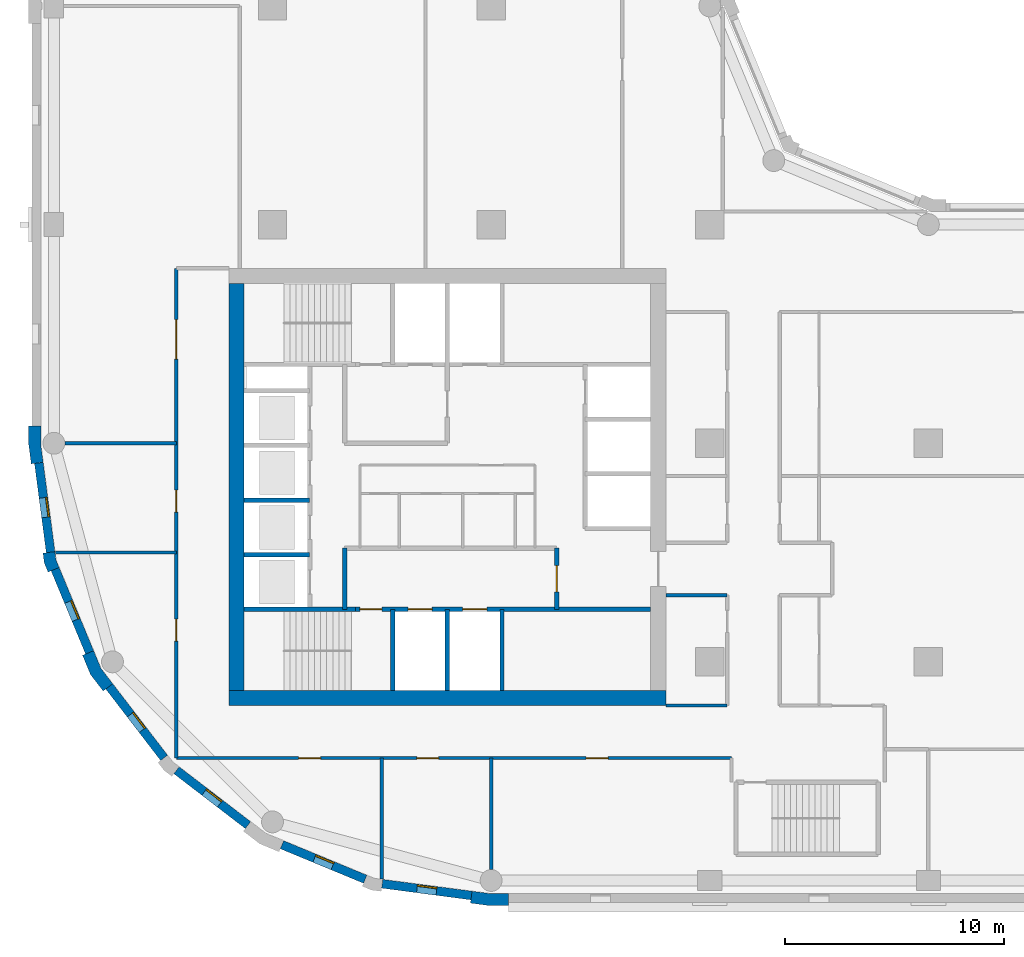
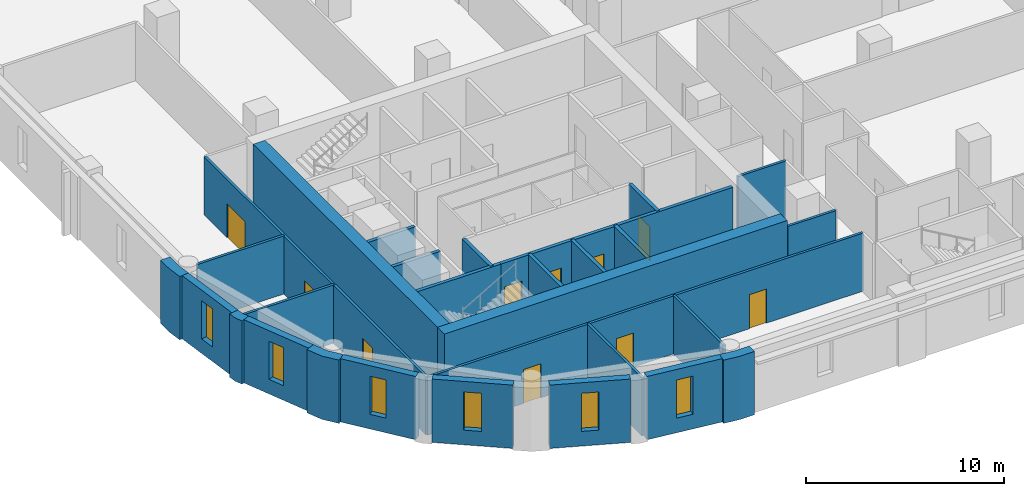
# One storey, part 2 of 9: 29 walls, 10 doors, 6 windows, 16 openings.
"""IFC4 building model written with IfcOpenShell, lengths in metres."""

from ifc_helpers import new_model, si_unit, direction, frame, frame_2d, origin, place, context, subcontext, project, spatial, polyline, rectangle, outline, extrude, material, layer, layer_set, type_object, element, fill, save


model = new_model("IFC4")

# Units and contexts
model_context = context("Model", 3, precision=1e-05, world=origin(), true_north=direction((0.0, 1.0)))
body_context = subcontext(model_context, "Body", "Model", "MODEL_VIEW")
ifc_project = project(units=[si_unit("LENGTHUNIT", "METRE"), si_unit("AREAUNIT", "SQUARE_METRE"), si_unit("VOLUMEUNIT", "CUBIC_METRE"), si_unit("PLANEANGLEUNIT", "RADIAN"), si_unit("MASSUNIT", "GRAM", prefix="KILO")], contexts=[model_context])

# Site, building, storey
site_placement = place(None, origin())
site = spatial("IfcSite", under=ifc_project, at=site_placement, CompositionType="ELEMENT")
building_placement = place(site_placement, origin())
building = spatial("IfcBuilding", under=site, at=building_placement, Name="Qaws Garden Tower", CompositionType="ELEMENT")
storey_placement = place(building_placement, frame((0.0, 0.0, 174.60009765625)))
storey = spatial("IfcBuildingStorey", under=building, at=storey_placement, Name="L42", CompositionType="ELEMENT", Elevation=174.60009765625)

# Wall, opening, window
ifc_material_1 = material(Name="Clay facing brick masonry", Category="masonry")
ifc_layer_1 = layer(ifc_material_1, 0.39990234375)
ifc_layer_set_1 = layer_set([ifc_layer_1], Name="Clay facing brick masonry")
wall_type_1 = type_object("IfcWallType", Name="Brick infill wall 400", PredefinedType="SOLIDWALL", material=ifc_layer_set_1)
wall_1_placement = place(storey_placement, frame((-0.688720703125, 19.102294921875, 0.0), z_axis=(0.0, 0.0, 1.0), x_axis=(0.130514280502, -0.991446429508, 0.0)))
wall_1 = element("IfcWall", 1, at=wall_1_placement, inside=storey, type_object=wall_type_1, Name="E-L42-infill-25", PredefinedType="SOLIDWALL", context=body_context, shape_type="SweptSolid", body=[
    extrude(rectangle(XDim=4.120849609375, YDim=0.39990234375, at=frame_2d((2.060546875, 0.0))), origin(), (0.0, 0.0, 1.0), 3.89990234375),
])
opening_1_placement = place(wall_1_placement, frame((1.610595703125, 0.0, 0.89990234375)))
opening_1 = element("IfcOpeningElement", 2, at=opening_1_placement, cuts=wall_1, Name="Opening W09", PredefinedType="OPENING", context=body_context, shape_type="SweptSolid", body=[
    extrude(rectangle(XDim=0.89990234375, YDim=2.35009765625, at=frame_2d((0.449951171875, 1.175048828125))), frame((0.0, 0.2099609375, 0.0), z_axis=(0.0, -1.0, 0.0), x_axis=(1.0, 0.0, 0.0)), (0.0, 0.0, 1.0), 0.419921875),
])
ifc_material_2 = material(Name="Aluminium framed window, clear glazing", Category="aluminium")
window_type = type_object("IfcWindowType", Name="Slit window 900 x 2350", PartitioningType="SINGLE_PANEL", PredefinedType="WINDOW", material=ifc_material_2)
window_1_placement = place(opening_1_placement, origin())
window_1 = element("IfcWindow", 3, at=window_1_placement, inside=storey, type_object=window_type, Name="E-L42-window-25-0", OverallHeight=2.35009765625, OverallWidth=0.89990234375, PartitioningType="SINGLE_PANEL", PredefinedType="WINDOW", context=body_context, shape_type="SweptSolid", body=[
    extrude(rectangle(XDim=0.89990234375, YDim=2.35009765625, at=frame_2d((0.449951171875, 1.175048828125))), frame((0.0, 0.159912109375, 0.0), z_axis=(0.0, -1.0, 0.0), x_axis=(1.0, 0.0, 0.0)), (0.0, 0.0, 1.0), 0.06005859375),
])
fill(opening_1, window_1)

wall_2_placement = place(storey_placement, frame((0.05712890625, 14.240234375, 0.0), z_axis=(0.0, 0.0, 1.0), x_axis=(0.382721546029, -0.923863744394, 0.0)))
wall_2 = element("IfcWall", 4, at=wall_2_placement, inside=storey, type_object=wall_type_1, Name="E-L42-infill-26", PredefinedType="SOLIDWALL", context=body_context, shape_type="SweptSolid", body=[
    extrude(rectangle(XDim=4.120849609375, YDim=0.39990234375, at=frame_2d((2.060546875, 0.0))), origin(), (0.0, 0.0, 1.0), 3.89990234375),
])
opening_2_placement = place(wall_2_placement, frame((1.610595703125, 0.0, 0.89990234375)))
opening_2 = element("IfcOpeningElement", 5, at=opening_2_placement, cuts=wall_2, Name="Opening W09", PredefinedType="OPENING", context=body_context, shape_type="SweptSolid", body=[
    extrude(rectangle(XDim=0.89990234375, YDim=2.35009765625, at=frame_2d((0.449951171875, 1.175048828125))), frame((0.0, 0.2099609375, 0.0), z_axis=(0.0, -1.0, 0.0), x_axis=(1.0, 0.0, 0.0)), (0.0, 0.0, 1.0), 0.419921875),
])
window_2_placement = place(opening_2_placement, origin())
window_2 = element("IfcWindow", 6, at=window_2_placement, inside=storey, type_object=window_type, Name="E-L42-window-26-0", OverallHeight=2.35009765625, OverallWidth=0.89990234375, PartitioningType="SINGLE_PANEL", PredefinedType="WINDOW", context=body_context, shape_type="SweptSolid", body=[
    extrude(rectangle(XDim=0.89990234375, YDim=2.35009765625, at=frame_2d((0.449951171875, 1.175048828125))), frame((0.0, 0.159912109375, 0.0), z_axis=(0.0, -1.0, 0.0), x_axis=(1.0, 0.0, 0.0)), (0.0, 0.0, 1.0), 0.06005859375),
])
fill(opening_2, window_2)

wall_3_placement = place(storey_placement, frame((2.53173828125, 8.87841796875, 0.0), z_axis=(0.0, 0.0, 1.0), x_axis=(0.608759824817, -0.793354571229, 0.0)))
wall_3 = element("IfcWall", 7, at=wall_3_placement, inside=storey, type_object=wall_type_1, Name="E-L42-infill-27", PredefinedType="SOLIDWALL", context=body_context, shape_type="SweptSolid", body=[
    extrude(rectangle(XDim=4.12109375, YDim=0.39990234375, at=frame_2d((2.060546875, 0.0))), origin(), (0.0, 0.0, 1.0), 3.89990234375),
])
opening_3_placement = place(wall_3_placement, frame((1.610595703125, 0.0, 0.89990234375)))
opening_3 = element("IfcOpeningElement", 8, at=opening_3_placement, cuts=wall_3, Name="Opening W09", PredefinedType="OPENING", context=body_context, shape_type="SweptSolid", body=[
    extrude(rectangle(XDim=0.89990234375, YDim=2.35009765625, at=frame_2d((0.449951171875, 1.175048828125))), frame((0.0, 0.2099609375, 0.0), z_axis=(0.0, -1.0, 0.0), x_axis=(1.0, 0.0, 0.0)), (0.0, 0.0, 1.0), 0.419921875),
])
window_3_placement = place(opening_3_placement, origin())
window_3 = element("IfcWindow", 9, at=window_3_placement, inside=storey, type_object=window_type, Name="E-L42-window-27-0", OverallHeight=2.35009765625, OverallWidth=0.89990234375, PartitioningType="SINGLE_PANEL", PredefinedType="WINDOW", context=body_context, shape_type="SweptSolid", body=[
    extrude(rectangle(XDim=0.89990234375, YDim=2.35009765625, at=frame_2d((0.449951171875, 1.175048828125))), frame((0.0, 0.159912109375, 0.0), z_axis=(0.0, -1.0, 0.0), x_axis=(1.0, 0.0, 0.0)), (0.0, 0.0, 1.0), 0.06005859375),
])
fill(opening_3, window_3)

wall_4_placement = place(storey_placement, frame((5.60888671875, 5.04052734375, 0.0), z_axis=(0.0, 0.0, 1.0), x_axis=(0.793354571229, -0.608759824817, 0.0)))
wall_4 = element("IfcWall", 10, at=wall_4_placement, inside=storey, type_object=wall_type_1, Name="E-L42-infill-28", PredefinedType="SOLIDWALL", context=body_context, shape_type="SweptSolid", body=[
    extrude(rectangle(XDim=4.12109375, YDim=0.39990234375, at=frame_2d((2.060546875, 0.0))), origin(), (0.0, 0.0, 1.0), 3.89990234375),
])
opening_4_placement = place(wall_4_placement, frame((1.610595703125, 0.0, 0.89990234375)))
opening_4 = element("IfcOpeningElement", 11, at=opening_4_placement, cuts=wall_4, Name="Opening W09", PredefinedType="OPENING", context=body_context, shape_type="SweptSolid", body=[
    extrude(rectangle(XDim=0.89990234375, YDim=2.35009765625, at=frame_2d((0.449951171875, 1.175048828125))), frame((0.0, 0.2099609375, 0.0), z_axis=(0.0, -1.0, 0.0), x_axis=(1.0, 0.0, 0.0)), (0.0, 0.0, 1.0), 0.419921875),
])
window_4_placement = place(opening_4_placement, origin())
window_4 = element("IfcWindow", 12, at=window_4_placement, inside=storey, type_object=window_type, Name="E-L42-window-28-0", OverallHeight=2.35009765625, OverallWidth=0.89990234375, PartitioningType="SINGLE_PANEL", PredefinedType="WINDOW", context=body_context, shape_type="SweptSolid", body=[
    extrude(rectangle(XDim=0.89990234375, YDim=2.35009765625, at=frame_2d((0.449951171875, 1.175048828125))), frame((0.0, 0.159912109375, 0.0), z_axis=(0.0, -1.0, 0.0), x_axis=(1.0, 0.0, 0.0)), (0.0, 0.0, 1.0), 0.06005859375),
])
fill(opening_4, window_4)

wall_5_placement = place(storey_placement, frame((10.43310546875, 1.63427734375, 0.0), z_axis=(0.0, 0.0, 1.0), x_axis=(0.923863744394, -0.382721546029, 0.0)))
wall_5 = element("IfcWall", 13, at=wall_5_placement, inside=storey, type_object=wall_type_1, Name="E-L42-infill-29", PredefinedType="SOLIDWALL", context=body_context, shape_type="SweptSolid", body=[
    extrude(rectangle(XDim=4.120849609375, YDim=0.39990234375, at=frame_2d((2.060546875, 0.0))), origin(), (0.0, 0.0, 1.0), 3.89990234375),
])
opening_5_placement = place(wall_5_placement, frame((1.610595703125, 0.0, 0.89990234375)))
opening_5 = element("IfcOpeningElement", 14, at=opening_5_placement, cuts=wall_5, Name="Opening W09", PredefinedType="OPENING", context=body_context, shape_type="SweptSolid", body=[
    extrude(rectangle(XDim=0.89990234375, YDim=2.35009765625, at=frame_2d((0.449951171875, 1.175048828125))), frame((0.0, 0.2099609375, 0.0), z_axis=(0.0, -1.0, 0.0), x_axis=(1.0, 0.0, 0.0)), (0.0, 0.0, 1.0), 0.419921875),
])
window_5_placement = place(opening_5_placement, origin())
window_5 = element("IfcWindow", 15, at=window_5_placement, inside=storey, type_object=window_type, Name="E-L42-window-29-0", OverallHeight=2.35009765625, OverallWidth=0.89990234375, PartitioningType="SINGLE_PANEL", PredefinedType="WINDOW", context=body_context, shape_type="SweptSolid", body=[
    extrude(rectangle(XDim=0.89990234375, YDim=2.35009765625, at=frame_2d((0.449951171875, 1.175048828125))), frame((0.0, 0.159912109375, 0.0), z_axis=(0.0, -1.0, 0.0), x_axis=(1.0, 0.0, 0.0)), (0.0, 0.0, 1.0), 0.06005859375),
])
fill(opening_5, window_5)

wall_6_placement = place(storey_placement, frame((15.0166015625, -0.15087890625, 0.0), z_axis=(0.0, 0.0, 1.0), x_axis=(0.991446429508, -0.130514280502, 0.0)))
wall_6 = element("IfcWall", 16, at=wall_6_placement, inside=storey, type_object=wall_type_1, Name="E-L42-infill-30", PredefinedType="SOLIDWALL", context=body_context, shape_type="SweptSolid", body=[
    extrude(rectangle(XDim=4.120849609375, YDim=0.39990234375, at=frame_2d((2.060546875, 0.0))), origin(), (0.0, 0.0, 1.0), 3.89990234375),
])
opening_6_placement = place(wall_6_placement, frame((1.610595703125, 0.0, 0.89990234375)))
opening_6 = element("IfcOpeningElement", 17, at=opening_6_placement, cuts=wall_6, Name="Opening W09", PredefinedType="OPENING", context=body_context, shape_type="SweptSolid", body=[
    extrude(rectangle(XDim=0.89990234375, YDim=2.35009765625, at=frame_2d((0.449951171875, 1.175048828125))), frame((0.0, 0.2099609375, 0.0), z_axis=(0.0, -1.0, 0.0), x_axis=(1.0, 0.0, 0.0)), (0.0, 0.0, 1.0), 0.419921875),
])
window_6_placement = place(opening_6_placement, origin())
window_6 = element("IfcWindow", 18, at=window_6_placement, inside=storey, type_object=window_type, Name="E-L42-window-30-0", OverallHeight=2.35009765625, OverallWidth=0.89990234375, PartitioningType="SINGLE_PANEL", PredefinedType="WINDOW", context=body_context, shape_type="SweptSolid", body=[
    extrude(rectangle(XDim=0.89990234375, YDim=2.35009765625, at=frame_2d((0.449951171875, 1.175048828125))), frame((0.0, 0.159912109375, 0.0), z_axis=(0.0, -1.0, 0.0), x_axis=(1.0, 0.0, 0.0)), (0.0, 0.0, 1.0), 0.06005859375),
])
fill(opening_6, window_6)

# Walls
ifc_material_3 = material(Name="Clay facing brick masonry", Category="masonry")
ifc_layer_2 = layer(ifc_material_3, 0.550048828125)
ifc_layer_set_2 = layer_set([ifc_layer_2], Name="Clay facing brick masonry")
wall_type_2 = type_object("IfcWallType", Name="Brick kink pier 550 x 600", PredefinedType="SOLIDWALL", material=ifc_layer_set_2)
placement = place(storey_placement, origin())
element("IfcWall", 19, at=placement, inside=storey, type_object=wall_type_2, Name="E-L42-pier-26", PredefinedType="SOLIDWALL", context=body_context, shape_type="SweptSolid", body=[
    extrude(outline(polyline([(-0.34912109375, 14.990478515625), (-0.497802734375, 14.970947265625), (-0.43896484375, 14.5234375), (-0.26611328125, 14.1064453125), (-0.127685546875, 14.163818359375), (0.241943359375, 14.31689453125), (0.096923828125, 14.6669921875), (0.04736328125, 15.042724609375), (-0.34912109375, 14.990478515625)])), origin(), (0.0, 0.0, 1.0), 3.89990234375),
])
ifc_material_4 = material(Name="Clay facing brick masonry", Category="masonry")
ifc_layer_3 = layer(ifc_material_4, 0.550048828125)
ifc_layer_set_3 = layer_set([ifc_layer_3], Name="Clay facing brick masonry")
wall_type_3 = type_object("IfcWallType", Name="Brick pier 550 x 1600", PredefinedType="SOLIDWALL", material=ifc_layer_set_3)
element("IfcWall", 20, at=placement, inside=storey, type_object=wall_type_3, Name="E-L42-pier-00", PredefinedType="SOLIDWALL", context=body_context, shape_type="SweptSolid", body=[
    extrude(outline(polyline([(19.076416015625, -0.886962890625), (19.056640625, -1.03564453125), (19.924560546875, -1.14990234375), (20.800048828125, -1.14990234375), (20.800048828125, -1.0), (20.800048828125, -0.60009765625), (19.960693359375, -0.60009765625), (19.12841796875, -0.490478515625), (19.076416015625, -0.886962890625)])), origin(), (0.0, 0.0, 1.0), 3.89990234375),
])
element("IfcWall", 21, at=placement, inside=storey, type_object=wall_type_3, Name="E-L42-pier-25", PredefinedType="SOLIDWALL", context=body_context, shape_type="SweptSolid", body=[
    extrude(outline(polyline([(-1.0, 20.800048828125), (-1.14990234375, 20.800048828125), (-1.14990234375, 19.924560546875), (-1.03564453125, 19.056640625), (-0.886962890625, 19.076416015625), (-0.490478515625, 19.12841796875), (-0.60009765625, 19.960693359375), (-0.60009765625, 20.800048828125), (-1.0, 20.800048828125)])), origin(), (0.0, 0.0, 1.0), 3.89990234375),
])
element("IfcWall", 22, at=placement, inside=storey, type_object=wall_type_3, Name="E-L42-pier-27", PredefinedType="SOLIDWALL", context=body_context, shape_type="SweptSolid", body=[
    extrude(outline(polyline([(1.449462890625, 10.3564453125), (1.310791015625, 10.299072265625), (1.675048828125, 9.419921875), (2.254150390625, 8.665283203125), (2.373046875, 8.756591796875), (2.6904296875, 9.0), (2.1552734375, 9.697509765625), (1.819091796875, 10.509521484375), (1.449462890625, 10.3564453125)])), origin(), (0.0, 0.0, 1.0), 3.89990234375),
])
ifc_material_5 = material(Name="Concrete C70", Category="concrete")
ifc_layer_4 = layer(ifc_material_5, 0.199951171875)
ifc_layer_set_4 = layer_set([ifc_layer_4], Name="Concrete C70")
wall_type_4 = type_object("IfcWallType", Name="Core shaft wall 200 C70", PredefinedType="SHEAR", material=ifc_layer_set_4)
wall_11_placement = place(storey_placement, frame((8.699951171875, 12.39990234375, 0.0), z_axis=(0.0, 0.0, 1.0), x_axis=(1.0, 0.0, 0.0)))
element("IfcWall", 23, at=wall_11_placement, inside=storey, type_object=wall_type_4, Name="Shaft wall", PredefinedType="SHEAR", context=body_context, shape_type="SweptSolid", body=[
    extrude(rectangle(XDim=5.10009765625, YDim=0.199951171875, at=frame_2d((2.550048828125, 0.0))), origin(), (0.0, 0.0, 1.0), 3.579833984375),
])

# Wall, openings, doors
wall_12_placement = place(storey_placement, frame((13.800048828125, 12.39990234375, 0.0), z_axis=(0.0, 0.0, 1.0), x_axis=(1.0, 0.0, 0.0)))
wall_12 = element("IfcWall", 24, at=wall_12_placement, inside=storey, type_object=wall_type_4, Name="Shaft wall", PredefinedType="SHEAR", context=body_context, shape_type="SweptSolid", body=[
    extrude(rectangle(XDim=13.5, YDim=0.199951171875, at=frame_2d((6.75, 0.0))), origin(), (0.0, 0.0, 1.0), 3.579833984375),
])
opening_7_placement = place(wall_12_placement, frame((2.39990234375, 0.0, 0.0)))
opening_7 = element("IfcOpeningElement", 25, at=opening_7_placement, cuts=wall_12, Name="Opening LD06", PredefinedType="OPENING", context=body_context, shape_type="SweptSolid", body=[
    extrude(rectangle(XDim=1.10009765625, YDim=2.10009765625, at=frame_2d((0.550048828125, 1.050048828125))), frame((0.0, 0.10986328125, 0.0), z_axis=(0.0, -1.0, 0.0), x_axis=(1.0, 0.0, 0.0)), (0.0, 0.0, 1.0), 0.219970703125),
])
opening_8_placement = place(wall_12_placement, frame((4.89990234375, 0.0, 0.0)))
opening_8 = element("IfcOpeningElement", 26, at=opening_8_placement, cuts=wall_12, Name="Opening LD07", PredefinedType="OPENING", context=body_context, shape_type="SweptSolid", body=[
    extrude(rectangle(XDim=1.10009765625, YDim=2.10009765625, at=frame_2d((0.550048828125, 1.050048828125))), frame((0.0, 0.10986328125, 0.0), z_axis=(0.0, -1.0, 0.0), x_axis=(1.0, 0.0, 0.0)), (0.0, 0.0, 1.0), 0.219970703125),
])
opening_9_placement = place(wall_12_placement, frame((0.199951171875, 0.0, 0.0)))
opening_9 = element("IfcOpeningElement", 27, at=opening_9_placement, cuts=wall_12, Name="Opening SD10", PredefinedType="OPENING", context=body_context, shape_type="SweptSolid", body=[
    extrude(rectangle(XDim=1.0, YDim=2.10009765625, at=frame_2d((0.5, 1.050048828125))), frame((0.0, 0.10986328125, 0.0), z_axis=(0.0, -1.0, 0.0), x_axis=(1.0, 0.0, 0.0)), (0.0, 0.0, 1.0), 0.219970703125),
])
ifc_material_6 = material(Name="Steel S235", Category="steel")
door_type_1 = type_object("IfcDoorType", Name="Landing door 1100x2100", OperationType="DOUBLE_DOOR_SLIDING", PredefinedType="DOOR", material=ifc_material_6)
door_1_placement = place(opening_7_placement, origin())
door_1 = element("IfcDoor", 28, at=door_1_placement, inside=storey, type_object=door_type_1, Name="Lift FF1 landing door", OperationType="DOUBLE_DOOR_SLIDING", OverallHeight=2.10009765625, OverallWidth=1.10009765625, PredefinedType="DOOR", context=body_context, shape_type="SweptSolid", body=[
    extrude(rectangle(XDim=1.10009765625, YDim=2.10009765625, at=frame_2d((0.550048828125, 1.050048828125))), frame((0.0, 0.02490234375, 0.0), z_axis=(0.0, -1.0, 0.0), x_axis=(1.0, 0.0, 0.0)), (0.0, 0.0, 1.0), 0.050048828125),
])
fill(opening_7, door_1)
door_2_placement = place(opening_8_placement, origin())
door_2 = element("IfcDoor", 29, at=door_2_placement, inside=storey, type_object=door_type_1, Name="Lift FF2 landing door", OperationType="DOUBLE_DOOR_SLIDING", OverallHeight=2.10009765625, OverallWidth=1.10009765625, PredefinedType="DOOR", context=body_context, shape_type="SweptSolid", body=[
    extrude(rectangle(XDim=1.10009765625, YDim=2.10009765625, at=frame_2d((0.550048828125, 1.050048828125))), frame((0.0, 0.02490234375, 0.0), z_axis=(0.0, -1.0, 0.0), x_axis=(1.0, 0.0, 0.0)), (0.0, 0.0, 1.0), 0.050048828125),
])
fill(opening_8, door_2)
ifc_material_7 = material(Name="Steel S235", Category="steel")
door_type_2 = type_object("IfcDoorType", Name="Stair door 1000x2100", OperationType="SINGLE_SWING_RIGHT", PredefinedType="DOOR", material=ifc_material_7)
door_3_placement = place(opening_9_placement, frame((1.0, 0.0, 0.0), z_axis=(0.0, 0.0, 1.0), x_axis=(-1.0, 0.0, 0.0)))
door_3 = element("IfcDoor", 30, at=door_3_placement, inside=storey, type_object=door_type_2, Name="Stair 1 door", OperationType="SINGLE_SWING_LEFT", OverallHeight=2.10009765625, OverallWidth=1.0, PredefinedType="DOOR", context=body_context, shape_type="SweptSolid", body=[
    extrude(rectangle(XDim=1.0, YDim=2.10009765625, at=frame_2d((0.5, 1.050048828125))), frame((0.0, 0.02490234375, 0.0), z_axis=(0.0, -1.0, 0.0), x_axis=(1.0, 0.0, 0.0)), (0.0, 0.0, 1.0), 0.050048828125),
])
fill(opening_9, door_3)

# Walls
for number, where, z_axis, x_axis, name in (
    (31, (8.699951171875, 14.89990234375, 0.0), (0.0, 0.0, 1.0), (1.0, 0.0, 0.0), "Shaft wall"),
    (32, (8.699951171875, 17.39990234375, 0.0), (0.0, 0.0, 1.0), (1.0, 0.0, 0.0), "Shaft wall"),
):
    element("IfcWall", number, at=place(storey_placement, frame(where, z_axis=z_axis, x_axis=x_axis)), inside=storey, type_object=wall_type_4, Name=name, PredefinedType="SHEAR", context=body_context, shape_type="SweptSolid", body=[
        extrude(rectangle(XDim=3.0, YDim=0.199951171875, at=frame_2d((1.5, 0.0))), origin(), (0.0, 0.0, 1.0), 3.579833984375),
    ])
wall_13_placement = place(storey_placement, frame((13.300048828125, 12.39990234375, 0.0), z_axis=(0.0, 0.0, 1.0), x_axis=(0.0, 1.0, 0.0)))
element("IfcWall", 33, at=wall_13_placement, inside=storey, type_object=wall_type_4, Name="Shaft wall", PredefinedType="SHEAR", context=body_context, shape_type="SweptSolid", body=[
    extrude(rectangle(XDim=2.800048828125, YDim=0.199951171875, at=frame_2d((1.39990234375, 0.0))), origin(), (0.0, 0.0, 1.0), 3.579833984375),
])
for number, where, z_axis, x_axis, name in (
    (34, (15.5, 8.699951171875, 0.0), (0.0, 0.0, 1.0), (0.0, 1.0, 0.0), "Shaft wall"),
    (35, (18.0, 8.699951171875, 0.0), (0.0, 0.0, 1.0), (0.0, 1.0, 0.0), "Shaft wall"),
    (36, (20.5, 8.699951171875, 0.0), (0.0, 0.0, 1.0), (0.0, 1.0, 0.0), "Shaft wall"),
):
    element("IfcWall", number, at=place(storey_placement, frame(where, z_axis=z_axis, x_axis=x_axis)), inside=storey, type_object=wall_type_4, Name=name, PredefinedType="SHEAR", context=body_context, shape_type="SweptSolid", body=[
        extrude(rectangle(XDim=3.699951171875, YDim=0.199951171875, at=frame_2d((1.85009765625, 0.0))), origin(), (0.0, 0.0, 1.0), 3.579833984375),
    ])

# Wall, opening, door
wall_14_placement = place(storey_placement, frame((23.0, 12.39990234375, 0.0), z_axis=(0.0, 0.0, 1.0), x_axis=(0.0, 1.0, 0.0)))
wall_14 = element("IfcWall", 37, at=wall_14_placement, inside=storey, type_object=wall_type_4, Name="Shaft wall", PredefinedType="SHEAR", context=body_context, shape_type="SweptSolid", body=[
    extrude(rectangle(XDim=2.800048828125, YDim=0.199951171875, at=frame_2d((1.39990234375, 0.0))), origin(), (0.0, 0.0, 1.0), 3.579833984375),
])
opening_10_placement = place(wall_14_placement, frame((0.800048828125, 0.0, 0.0)))
opening_10 = element("IfcOpeningElement", 38, at=opening_10_placement, cuts=wall_14, Name="Opening FD15", PredefinedType="OPENING", context=body_context, shape_type="SweptSolid", body=[
    extrude(rectangle(XDim=1.199951171875, YDim=2.10009765625, at=frame_2d((0.60009765625, 1.050048828125))), frame((0.0, 0.10986328125, 0.0), z_axis=(0.0, -1.0, 0.0), x_axis=(1.0, 0.0, 0.0)), (0.0, 0.0, 1.0), 0.219970703125),
])
ifc_material_8 = material(Name="Steel S235", Category="steel")
door_type_3 = type_object("IfcDoorType", Name="Lobby door 1200x2100", OperationType="DOUBLE_DOOR_SINGLE_SWING", PredefinedType="DOOR", material=ifc_material_8)
door_4_placement = place(opening_10_placement, origin())
door_4 = element("IfcDoor", 39, at=door_4_placement, inside=storey, type_object=door_type_3, Name="Fire-fighting lobby door", OperationType="DOUBLE_DOOR_SINGLE_SWING", OverallHeight=2.10009765625, OverallWidth=1.199951171875, PredefinedType="DOOR", context=body_context, shape_type="SweptSolid", body=[
    extrude(rectangle(XDim=1.199951171875, YDim=2.10009765625, at=frame_2d((0.60009765625, 1.050048828125))), frame((0.0, 0.02490234375, 0.0), z_axis=(0.0, -1.0, 0.0), x_axis=(1.0, 0.0, 0.0)), (0.0, 0.0, 1.0), 0.050048828125),
])
fill(opening_10, door_4)

# Walls
ifc_material_9 = material(Name="Concrete C70", Category="concrete")
ifc_layer_5 = layer(ifc_material_9, 0.699951171875)
ifc_layer_set_5 = layer_set([ifc_layer_5], Name="Concrete C70")
wall_type_5 = type_object("IfcWallType", Name="Core wall 700 C70", PredefinedType="SHEAR", material=ifc_layer_set_5)
wall_15_placement = place(storey_placement, frame((8.0, 8.35009765625, 0.0), z_axis=(0.0, 0.0, 1.0), x_axis=(1.0, 0.0, 0.0)))
element("IfcWall", 40, at=wall_15_placement, inside=storey, type_object=wall_type_5, Name="Core wall L42 south", PredefinedType="SHEAR", context=body_context, shape_type="SweptSolid", body=[
    extrude(rectangle(XDim=20.0, YDim=0.699951171875, at=frame_2d((10.0, 0.0))), origin(), (0.0, 0.0, 1.0), 3.89990234375),
])
wall_16_placement = place(storey_placement, frame((8.35009765625, 27.300048828125, 0.0), z_axis=(0.0, 0.0, 1.0), x_axis=(0.0, -1.0, 0.0)))
element("IfcWall", 41, at=wall_16_placement, inside=storey, type_object=wall_type_5, Name="Core wall L42 west", PredefinedType="SHEAR", context=body_context, shape_type="SweptSolid", body=[
    extrude(rectangle(XDim=18.60009765625, YDim=0.699951171875, at=frame_2d((9.300048828125, 0.0))), origin(), (0.0, 0.0, 1.0), 3.89990234375),
])

# Wall, openings, doors
ifc_material_10 = material(Name="Gypsum board partition")
ifc_layer_6 = layer(ifc_material_10, 0.14990234375)
ifc_layer_set_6 = layer_set([ifc_layer_6], Name="Gypsum board partition")
wall_type_6 = type_object("IfcWallType", Name="PARTITION 150 EI 60", PredefinedType="PARTITIONING", material=ifc_layer_set_6)
wall_17_placement = place(storey_placement, frame((5.60009765625, 5.60009765625, 0.0), z_axis=(0.0, 0.0, 1.0), x_axis=(0.0, 1.0, 0.0)))
wall_17 = element("IfcWall", 42, at=wall_17_placement, inside=storey, type_object=wall_type_6, Name="O-L42-wall-006", PredefinedType="PARTITIONING", context=body_context, shape_type="SweptSolid", body=[
    extrude(rectangle(XDim=22.39990234375, YDim=0.14990234375, at=frame_2d((11.199951171875, 0.0))), origin(), (0.0, 0.0, 1.0), 3.579833984375),
])
opening_11_placement = place(wall_17_placement, frame((5.35009765625, 0.0, 0.0)))
opening_11 = element("IfcOpeningElement", 43, at=opening_11_placement, cuts=wall_17, Name="Opening B401", PredefinedType="OPENING", context=body_context, shape_type="SweptSolid", body=[
    extrude(rectangle(XDim=1.0, YDim=2.10009765625, at=frame_2d((0.5, 1.050048828125))), frame((0.0, 0.0849609375, 0.0), z_axis=(0.0, -1.0, 0.0), x_axis=(1.0, 0.0, 0.0)), (0.0, 0.0, 1.0), 0.169921875),
])
opening_12_placement = place(wall_17_placement, frame((11.25, 0.0, 0.0)))
opening_12 = element("IfcOpeningElement", 44, at=opening_12_placement, cuts=wall_17, Name="Opening B402", PredefinedType="OPENING", context=body_context, shape_type="SweptSolid", body=[
    extrude(rectangle(XDim=1.0, YDim=2.10009765625, at=frame_2d((0.5, 1.050048828125))), frame((0.0, 0.0849609375, 0.0), z_axis=(0.0, -1.0, 0.0), x_axis=(1.0, 0.0, 0.0)), (0.0, 0.0, 1.0), 0.169921875),
])
opening_13_placement = place(wall_17_placement, frame((18.25, 0.0, 0.0)))
opening_13 = element("IfcOpeningElement", 45, at=opening_13_placement, cuts=wall_17, Name="Opening B410", PredefinedType="OPENING", context=body_context, shape_type="SweptSolid", body=[
    extrude(rectangle(XDim=1.800048828125, YDim=2.10009765625, at=frame_2d((0.89990234375, 1.050048828125))), frame((0.0, 0.0849609375, 0.0), z_axis=(0.0, -1.0, 0.0), x_axis=(1.0, 0.0, 0.0)), (0.0, 0.0, 1.0), 0.169921875),
])
ifc_material_11 = material(Name="Timber door leaf", Category="wood")
door_type_4 = type_object("IfcDoorType", Name="DOUBLE DOOR 1800 X 2100", OperationType="DOUBLE_DOOR_SINGLE_SWING", PredefinedType="DOOR", material=ifc_material_11)
door_5_placement = place(opening_13_placement, origin())
door_5 = element("IfcDoor", 46, at=door_5_placement, inside=storey, type_object=door_type_4, Name="O-L42-door-010", OperationType="DOUBLE_DOOR_SINGLE_SWING", OverallHeight=2.10009765625, OverallWidth=1.800048828125, PredefinedType="DOOR", context=body_context, shape_type="SweptSolid", body=[
    extrude(rectangle(XDim=1.800048828125, YDim=2.10009765625, at=frame_2d((0.89990234375, 1.050048828125))), frame((0.0, 0.02490234375, 0.0), z_axis=(0.0, -1.0, 0.0), x_axis=(1.0, 0.0, 0.0)), (0.0, 0.0, 1.0), 0.050048828125),
])
fill(opening_13, door_5)
ifc_material_12 = material(Name="Timber door leaf", Category="wood")
door_type_5 = type_object("IfcDoorType", Name="TENANCY ENTRANCE DOOR 1000 X 2100", OperationType="SINGLE_SWING_LEFT", PredefinedType="DOOR", material=ifc_material_12)
door_6_placement = place(opening_11_placement, origin())
door_6 = element("IfcDoor", 47, at=door_6_placement, inside=storey, type_object=door_type_5, Name="O-L42-door-001", OperationType="SINGLE_SWING_RIGHT", OverallHeight=2.10009765625, OverallWidth=1.0, PredefinedType="DOOR", context=body_context, shape_type="SweptSolid", body=[
    extrude(rectangle(XDim=1.0, YDim=2.10009765625, at=frame_2d((0.5, 1.050048828125))), frame((0.0, 0.02490234375, 0.0), z_axis=(0.0, -1.0, 0.0), x_axis=(1.0, 0.0, 0.0)), (0.0, 0.0, 1.0), 0.050048828125),
])
fill(opening_11, door_6)
door_7_placement = place(opening_12_placement, origin())
door_7 = element("IfcDoor", 48, at=door_7_placement, inside=storey, type_object=door_type_5, Name="O-L42-door-002", OperationType="SINGLE_SWING_RIGHT", OverallHeight=2.10009765625, OverallWidth=1.0, PredefinedType="DOOR", context=body_context, shape_type="SweptSolid", body=[
    extrude(rectangle(XDim=1.0, YDim=2.10009765625, at=frame_2d((0.5, 1.050048828125))), frame((0.0, 0.02490234375, 0.0), z_axis=(0.0, -1.0, 0.0), x_axis=(1.0, 0.0, 0.0)), (0.0, 0.0, 1.0), 0.050048828125),
])
fill(opening_12, door_7)

# Walls
wall_18_placement = place(storey_placement, frame((15.0, 0.06298828125, 0.0), z_axis=(0.0, 0.0, 1.0), x_axis=(0.0, 1.0, 0.0)))
element("IfcWall", 49, at=wall_18_placement, inside=storey, type_object=wall_type_6, Name="O-L42-wall-010", PredefinedType="PARTITIONING", context=body_context, shape_type="SweptSolid", body=[
    extrude(rectangle(XDim=5.537109375, YDim=0.14990234375, at=frame_2d((2.7685546875, 0.0))), origin(), (0.0, 0.0, 1.0), 3.579833984375),
])
wall_19_placement = place(storey_placement, frame((20.0, 0.5, 0.0), z_axis=(0.0, 0.0, 1.0), x_axis=(0.0, 1.0, 0.0)))
element("IfcWall", 50, at=wall_19_placement, inside=storey, type_object=wall_type_6, Name="O-L42-wall-013", PredefinedType="PARTITIONING", context=body_context, shape_type="SweptSolid", body=[
    extrude(rectangle(XDim=5.10009765625, YDim=0.14990234375, at=frame_2d((2.550048828125, 0.0))), origin(), (0.0, 0.0, 1.0), 3.579833984375),
])

# Wall, openings, doors
wall_20_placement = place(storey_placement, frame((5.60009765625, 5.60009765625, 0.0), z_axis=(0.0, 0.0, 1.0), x_axis=(1.0, 0.0, 0.0)))
wall_20 = element("IfcWall", 51, at=wall_20_placement, inside=storey, type_object=wall_type_6, Name="O-L42-wall-029", PredefinedType="PARTITIONING", context=body_context, shape_type="SweptSolid", body=[
    extrude(rectangle(XDim=25.39990234375, YDim=0.14990234375, at=frame_2d((12.699951171875, 0.0))), origin(), (0.0, 0.0, 1.0), 3.579833984375),
])
opening_14_placement = place(wall_20_placement, frame((5.60009765625, 0.0, 0.0)))
opening_14 = element("IfcOpeningElement", 52, at=opening_14_placement, cuts=wall_20, Name="Opening B411", PredefinedType="OPENING", context=body_context, shape_type="SweptSolid", body=[
    extrude(rectangle(XDim=1.0, YDim=2.10009765625, at=frame_2d((0.5, 1.050048828125))), frame((0.0, 0.0849609375, 0.0), z_axis=(0.0, -1.0, 0.0), x_axis=(1.0, 0.0, 0.0)), (0.0, 0.0, 1.0), 0.169921875),
])
opening_15_placement = place(wall_20_placement, frame((11.0, 0.0, 0.0)))
opening_15 = element("IfcOpeningElement", 53, at=opening_15_placement, cuts=wall_20, Name="Opening B414", PredefinedType="OPENING", context=body_context, shape_type="SweptSolid", body=[
    extrude(rectangle(XDim=1.0, YDim=2.10009765625, at=frame_2d((0.5, 1.050048828125))), frame((0.0, 0.0849609375, 0.0), z_axis=(0.0, -1.0, 0.0), x_axis=(1.0, 0.0, 0.0)), (0.0, 0.0, 1.0), 0.169921875),
])
opening_16_placement = place(wall_20_placement, frame((18.75, 0.0, 0.0)))
opening_16 = element("IfcOpeningElement", 54, at=opening_16_placement, cuts=wall_20, Name="Opening B415", PredefinedType="OPENING", context=body_context, shape_type="SweptSolid", body=[
    extrude(rectangle(XDim=1.0, YDim=2.10009765625, at=frame_2d((0.5, 1.050048828125))), frame((0.0, 0.0849609375, 0.0), z_axis=(0.0, -1.0, 0.0), x_axis=(1.0, 0.0, 0.0)), (0.0, 0.0, 1.0), 0.169921875),
])
door_8_placement = place(opening_14_placement, frame((1.0, 0.0, 0.0), z_axis=(0.0, 0.0, 1.0), x_axis=(-1.0, 0.0, 0.0)))
door_8 = element("IfcDoor", 55, at=door_8_placement, inside=storey, type_object=door_type_5, Name="O-L42-door-011", OperationType="SINGLE_SWING_LEFT", OverallHeight=2.10009765625, OverallWidth=1.0, PredefinedType="DOOR", context=body_context, shape_type="SweptSolid", body=[
    extrude(rectangle(XDim=1.0, YDim=2.10009765625, at=frame_2d((0.5, 1.050048828125))), frame((0.0, 0.02490234375, 0.0), z_axis=(0.0, -1.0, 0.0), x_axis=(1.0, 0.0, 0.0)), (0.0, 0.0, 1.0), 0.050048828125),
])
fill(opening_14, door_8)
door_9_placement = place(opening_15_placement, frame((1.0, 0.0, 0.0), z_axis=(0.0, 0.0, 1.0), x_axis=(-1.0, 0.0, 0.0)))
door_9 = element("IfcDoor", 56, at=door_9_placement, inside=storey, type_object=door_type_5, Name="O-L42-door-014", OperationType="SINGLE_SWING_LEFT", OverallHeight=2.10009765625, OverallWidth=1.0, PredefinedType="DOOR", context=body_context, shape_type="SweptSolid", body=[
    extrude(rectangle(XDim=1.0, YDim=2.10009765625, at=frame_2d((0.5, 1.050048828125))), frame((0.0, 0.02490234375, 0.0), z_axis=(0.0, -1.0, 0.0), x_axis=(1.0, 0.0, 0.0)), (0.0, 0.0, 1.0), 0.050048828125),
])
fill(opening_15, door_9)
door_10_placement = place(opening_16_placement, frame((1.0, 0.0, 0.0), z_axis=(0.0, 0.0, 1.0), x_axis=(-1.0, 0.0, 0.0)))
door_10 = element("IfcDoor", 57, at=door_10_placement, inside=storey, type_object=door_type_5, Name="O-L42-door-015", OperationType="SINGLE_SWING_LEFT", OverallHeight=2.10009765625, OverallWidth=1.0, PredefinedType="DOOR", context=body_context, shape_type="SweptSolid", body=[
    extrude(rectangle(XDim=1.0, YDim=2.10009765625, at=frame_2d((0.5, 1.050048828125))), frame((0.0, 0.02490234375, 0.0), z_axis=(0.0, -1.0, 0.0), x_axis=(1.0, 0.0, 0.0)), (0.0, 0.0, 1.0), 0.050048828125),
])
fill(opening_16, door_10)

# Walls
for number, where, z_axis, x_axis, name in (
    (58, (28.0, 8.0, 0.0), (0.0, 0.0, 1.0), (1.0, 0.0, 0.0), "O-L42-wall-032"),
    (59, (28.0, 13.050048828125, 0.0), (0.0, 0.0, 1.0), (1.0, 0.0, 0.0), "O-L42-wall-034"),
):
    element("IfcWall", number, at=place(storey_placement, frame(where, z_axis=z_axis, x_axis=x_axis)), inside=storey, type_object=wall_type_6, Name=name, PredefinedType="PARTITIONING", context=body_context, shape_type="SweptSolid", body=[
        extrude(rectangle(XDim=2.800048828125, YDim=0.14990234375, at=frame_2d((1.39990234375, 0.0))), origin(), (0.0, 0.0, 1.0), 3.579833984375),
    ])
wall_21_placement = place(storey_placement, frame((0.06298828125, 15.0, 0.0), z_axis=(0.0, 0.0, 1.0), x_axis=(1.0, 0.0, 0.0)))
element("IfcWall", 60, at=wall_21_placement, inside=storey, type_object=wall_type_6, Name="O-L42-wall-036", PredefinedType="PARTITIONING", context=body_context, shape_type="SweptSolid", body=[
    extrude(rectangle(XDim=5.537109375, YDim=0.14990234375, at=frame_2d((2.7685546875, 0.0))), origin(), (0.0, 0.0, 1.0), 3.579833984375),
])
wall_22_placement = place(storey_placement, frame((0.5, 20.0, 0.0), z_axis=(0.0, 0.0, 1.0), x_axis=(1.0, 0.0, 0.0)))
element("IfcWall", 61, at=wall_22_placement, inside=storey, type_object=wall_type_6, Name="O-L42-wall-041", PredefinedType="PARTITIONING", context=body_context, shape_type="SweptSolid", body=[
    extrude(rectangle(XDim=5.10009765625, YDim=0.14990234375, at=frame_2d((2.550048828125, 0.0))), origin(), (0.0, 0.0, 1.0), 3.579833984375),
])

save(model, "model.ifc")
